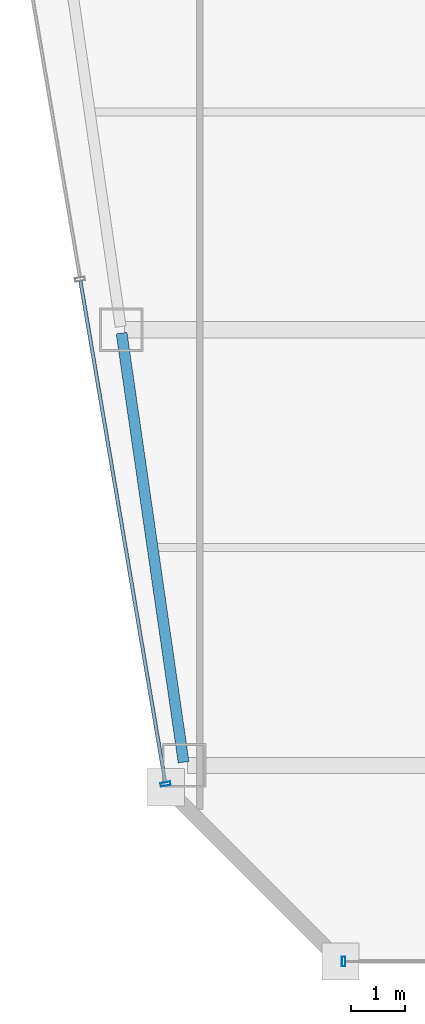
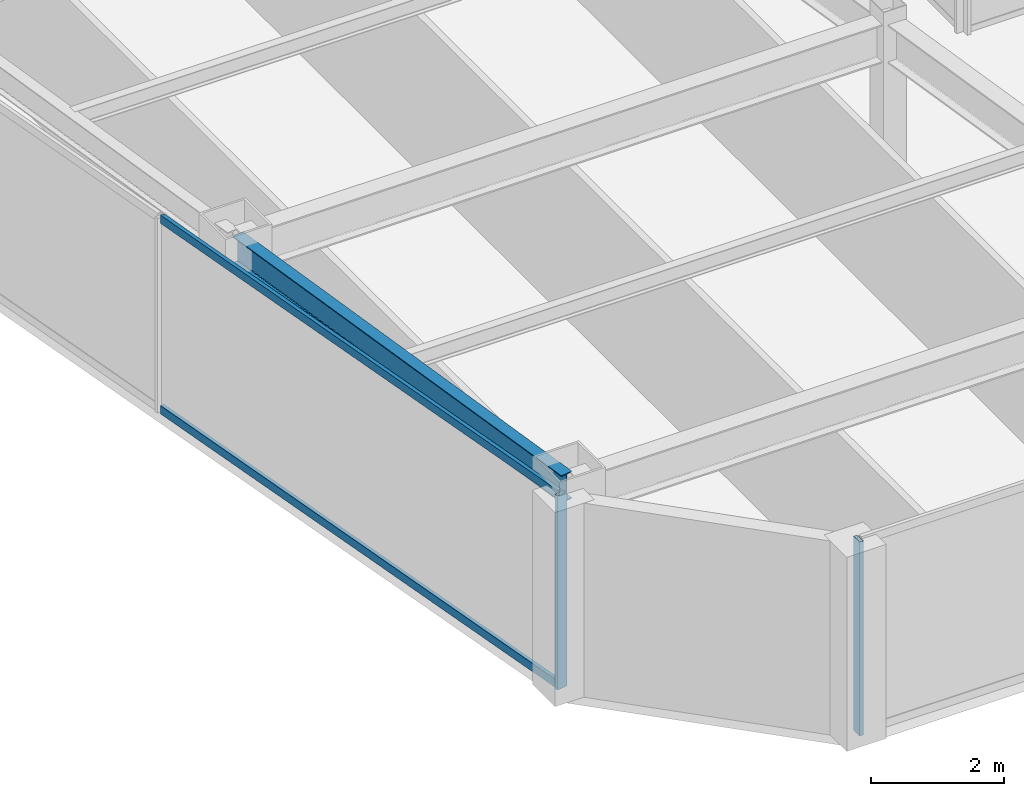
# One storey, part 3 of 35: 4 members, 1 beam, 2 elements without a shape of their own.
"""IFC4 building model written with IfcOpenShell, lengths in metres."""

from ifc_helpers import new_model, si_unit, direction, frame, origin, origin_2d, place, context, subcontext, project, spatial, hollow_rectangle, i_section, extrude, material, material_profile, profile_set, type_object, element, aggregate, save


model = new_model("IFC4")

# Units and contexts
model_context = context("Model", 3, precision=1e-05, world=origin(), true_north=direction((0.0, 1.0)))
body_context = subcontext(model_context, "Body", "Model", "MODEL_VIEW")
ifc_project = project(units=[si_unit("LENGTHUNIT", "METRE"), si_unit("AREAUNIT", "SQUARE_METRE"), si_unit("VOLUMEUNIT", "CUBIC_METRE"), si_unit("PLANEANGLEUNIT", "RADIAN"), si_unit("MASSUNIT", "GRAM", prefix="KILO")], contexts=[model_context])

# Site, building, storey
site_placement = place(None, origin())
site = spatial("IfcSite", under=ifc_project, at=site_placement, CompositionType="ELEMENT")
building_placement = place(site_placement, origin())
building = spatial("IfcBuilding", under=site, at=building_placement, Name="Saevonmaru Cultural Tower", CompositionType="ELEMENT")
storey_placement = place(building_placement, frame((0.0, 0.0, 190.39990234375)))
storey = spatial("IfcBuildingStorey", under=building, at=storey_placement, Name="L43", CompositionType="ELEMENT", Elevation=190.39990234375)

# Beam
ifc_material_1 = material(Name="Steel SM355", Category="steel")
ifc_material_profile_1 = material_profile(ifc_material_1, i_section(OverallWidth=0.199951171875, OverallDepth=0.5, WebThickness=0.010009765625, FlangeThickness=0.01611328125, FilletRadius=0.02001953125, at=origin_2d()), Name="H-500x200x10x16")
ifc_profile_set_1 = profile_set([ifc_material_profile_1], Name="Steel SM355")
beam_type = type_object("IfcBeamType", Name="BM-SP-H500", PredefinedType="SPANDREL", material=ifc_profile_set_1)
beam_placement = place(storey_placement, frame((10.619384765625, 16.059326171875, 3.300048828125), z_axis=(-0.142992129437, 0.989723825579, 0.0), x_axis=(-0.989723825579, -0.142992129437, 0.0)))
element("IfcBeam", 1, at=beam_placement, inside=storey, type_object=beam_type, Name="L43 West Splayed Spandrel 1", PredefinedType="SPANDREL", context=body_context, shape_type="SweptSolid", body=[
    extrude(i_section(OverallWidth=0.199951171875, OverallDepth=0.5, WebThickness=0.010009765625, FlangeThickness=0.01611328125, FilletRadius=0.02001953125, at=origin_2d()), origin(), (0.0, 0.0, 1.0), 7.963134765625),
])

# Curtain wall, member
ifc_material_2 = material(Name="Satin Bronze Anodised Aluminium", Category="aluminium")
curtain_wall_type = type_object("IfcCurtainWallType", Name="CW-TYP-B", PredefinedType="NOTDEFINED", material=ifc_material_2)
curtain_wall_1_placement = place(storey_placement, origin())
curtain_wall_1 = element("IfcCurtainWall", 2, at=curtain_wall_1_placement, inside=storey, type_object=curtain_wall_type, Name="L43 Unitised Curtain Wall E2", PredefinedType="NOTDEFINED")
ifc_material_profile_2 = material_profile(ifc_material_2, hollow_rectangle(XDim=0.06494140625, YDim=0.179931640625, WallThickness=0.00390625, at=origin_2d()), Name="ALU-MULL-180x65x4")
ifc_profile_set_2 = profile_set([ifc_material_profile_2], Name="Satin Bronze Anodised Aluminium")
member_type_1 = type_object("IfcMemberType", Name="ML-CW-180x65", PredefinedType="MULLION", material=ifc_profile_set_2)
member_1_placement = place(storey_placement, frame((13.557861328125, 12.39990234375, 0.0), z_axis=(0.0, 0.0, 1.0), x_axis=(1.0, 0.0, 0.0)))
member_1 = element("IfcMember", 3, at=member_1_placement, type_object=member_type_1, Name="CW-TW-L43-E2 mullion 1", PredefinedType="MULLION", context=body_context, shape_type="SweptSolid", body=[
    extrude(hollow_rectangle(XDim=0.06494140625, YDim=0.179931640625, WallThickness=0.00390625, at=origin_2d()), origin(), (0.0, 0.0, 1.0), 3.550048828125),
])
aggregate(curtain_wall_1, [member_1])

# Curtain wall, members
curtain_wall_2_placement = place(storey_placement, origin())
curtain_wall_2 = element("IfcCurtainWall", 4, at=curtain_wall_2_placement, inside=storey, type_object=curtain_wall_type, Name="L43 Unitised Curtain Wall E12", PredefinedType="NOTDEFINED")
member_2_placement = place(storey_placement, frame((10.287841796875, 15.6591796875, 0.0), z_axis=(0.0, 0.0, 1.0), x_axis=(0.16692169721, -0.985970155228, 0.0)))
member_2 = element("IfcMember", 5, at=member_2_placement, type_object=member_type_1, Name="CW-TW-L43-E12 mullion 5", PredefinedType="MULLION", context=body_context, shape_type="SweptSolid", body=[
    extrude(hollow_rectangle(XDim=0.06494140625, YDim=0.179931640625, WallThickness=0.00390625, at=origin_2d()), origin(), (0.0, 0.0, 1.0), 3.550048828125),
])
ifc_material_profile_3 = material_profile(ifc_material_2, hollow_rectangle(XDim=0.06494140625, YDim=0.14990234375, WallThickness=0.00390625, at=origin_2d()), Name="ALU-TRAN-150x65x4")
ifc_profile_set_3 = profile_set([ifc_material_profile_3], Name="Satin Bronze Anodised Aluminium")
member_type_2 = type_object("IfcMemberType", Name="TR-CW-150x65", PredefinedType="USERDEFINED", material=ifc_profile_set_3)
member_3_placement = place(storey_placement, frame((8.723876953125, 24.8974609375, 0.03271484375), z_axis=(0.166921263871, -0.985970228591, 0.0), x_axis=(0.985970228591, 0.166921263871, 0.0)))
member_3 = element("IfcMember", 6, at=member_3_placement, type_object=member_type_2, Name="CW-TW-L43-E12 transom 4.1", ObjectType="TRANSOM", PredefinedType="USERDEFINED", context=body_context, shape_type="SweptSolid", body=[
    extrude(hollow_rectangle(XDim=0.06494140625, YDim=0.14990234375, WallThickness=0.00390625, at=origin_2d()), origin(), (0.0, 0.0, 1.0), 9.33740234375),
])
member_4_placement = place(storey_placement, frame((8.723876953125, 24.8974609375, 3.517578125), z_axis=(0.166921263871, -0.985970228591, 0.0), x_axis=(0.985970228591, 0.166921263871, 0.0)))
member_4 = element("IfcMember", 7, at=member_4_placement, type_object=member_type_2, Name="CW-TW-L43-E12 transom 4.2", ObjectType="TRANSOM", PredefinedType="USERDEFINED", context=body_context, shape_type="SweptSolid", body=[
    extrude(hollow_rectangle(XDim=0.06494140625, YDim=0.14990234375, WallThickness=0.00390625, at=origin_2d()), origin(), (0.0, 0.0, 1.0), 9.33740234375),
])
aggregate(curtain_wall_2, [member_2, member_3, member_4])

save(model, "model.ifc")
